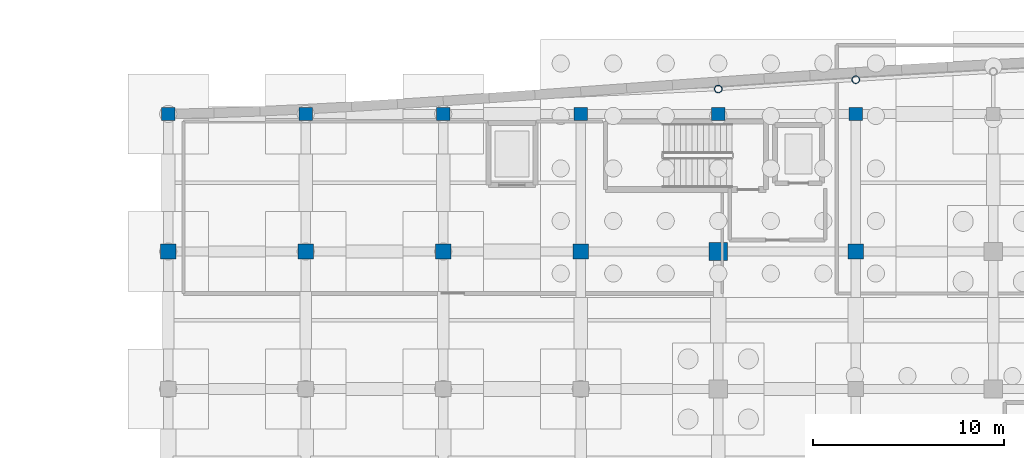
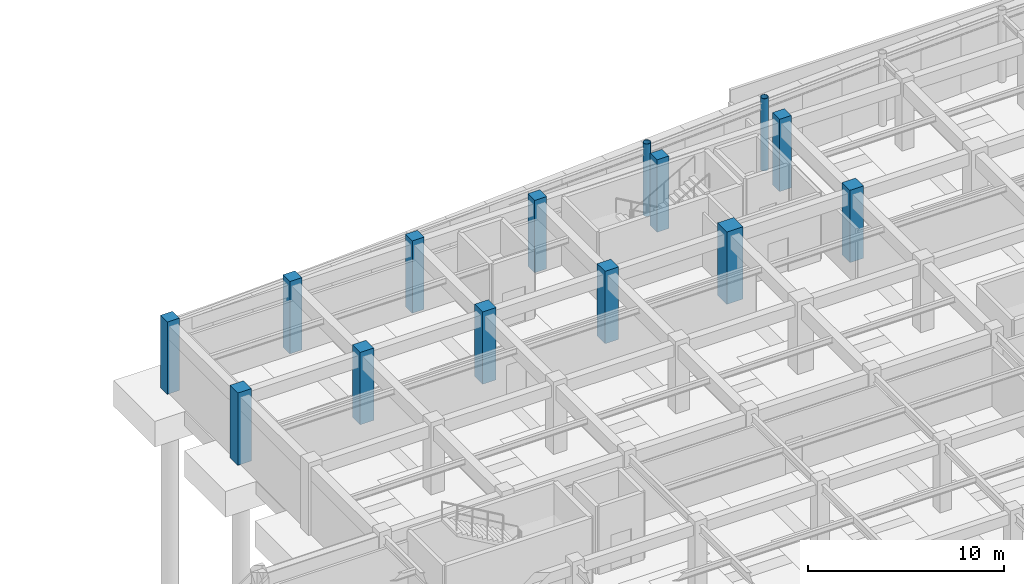
# One storey, part 19 of 48: 14 columns.
"""IFC4 building model written with IfcOpenShell, lengths in metres."""

from ifc_helpers import new_model, si_unit, direction, frame, origin, origin_2d, place, context, subcontext, project, spatial, rectangle, hollow_circle, extrude, material, material_profile, profile_set, type_object, element, save


model = new_model("IFC4")

# Units and contexts
model_context = context("Model", 3, precision=1e-05, world=origin(), true_north=direction((0.0, 1.0)))
body_context = subcontext(model_context, "Body", "Model", "MODEL_VIEW")
ifc_project = project(units=[si_unit("LENGTHUNIT", "METRE"), si_unit("AREAUNIT", "SQUARE_METRE"), si_unit("VOLUMEUNIT", "CUBIC_METRE"), si_unit("PLANEANGLEUNIT", "RADIAN"), si_unit("MASSUNIT", "GRAM", prefix="KILO")], contexts=[model_context])

# Site, building, storey
site_placement = place(None, origin())
site = spatial("IfcSite", under=ifc_project, at=site_placement, CompositionType="ELEMENT")
building_placement = place(site_placement, origin())
building = spatial("IfcBuilding", under=site, at=building_placement, Name="Carrowvane Square Congress Hotel", CompositionType="ELEMENT")
storey_placement = place(building_placement, frame((0.0, 0.0, -4.5)))
storey = spatial("IfcBuildingStorey", under=building, at=storey_placement, Name="B01", CompositionType="ELEMENT", Elevation=-4.5)

# Columns
ifc_material_1 = material(Name="Concrete C40/50", Category="concrete")
ifc_material_profile_1 = material_profile(ifc_material_1, rectangle(XDim=0.699951171875, YDim=0.699951171875, at=origin_2d()), Name="RC 700x700")
ifc_profile_set_1 = profile_set([ifc_material_profile_1], Name="Concrete C40/50")
column_type_1 = type_object("IfcColumnType", Name="COL-RC-700", PredefinedType="COLUMN", material=ifc_profile_set_1)
for number, where, z_axis, x_axis, name in (
    (1, (33.199951171875, 113.39990234375, 0.0), (0.0, 0.0, 1.0), (1.0, 0.0, 0.0), "B01 column 4/R"),
    (2, (40.39990234375, 113.39990234375, 0.0), (0.0, 0.0, 1.0), (1.0, 0.0, 0.0), "B01 column 5/R"),
    (3, (47.60009765625, 113.39990234375, 0.0), (0.0, 0.0, 1.0), (1.0, 0.0, 0.0), "B01 column 6/R"),
    (4, (54.800048828125, 113.39990234375, 0.0), (0.0, 0.0, 1.0), (1.0, 0.0, 0.0), "B01 column 7/R"),
    (5, (62.0, 113.39990234375, 0.0), (0.0, 0.0, 1.0), (1.0, 0.0, 0.0), "B01 column 8/R"),
    (6, (69.199951171875, 113.39990234375, 0.0), (0.0, 0.0, 1.0), (1.0, 0.0, 0.0), "B01 column 9/R"),
):
    element("IfcColumn", number, at=place(storey_placement, frame(where, z_axis=z_axis, x_axis=x_axis)), inside=storey, type_object=column_type_1, Name=name, PredefinedType="COLUMN", context=body_context, shape_type="SweptSolid", body=[
        extrude(rectangle(XDim=0.699951171875, YDim=0.699951171875, at=origin_2d()), origin(), (0.0, 0.0, 1.0), 4.5),
    ])
ifc_material_2 = material(Name="Concrete C40/50", Category="concrete")
ifc_material_profile_2 = material_profile(ifc_material_2, rectangle(XDim=0.800048828125, YDim=0.800048828125, at=origin_2d()), Name="RC 800x800")
ifc_profile_set_2 = profile_set([ifc_material_profile_2], Name="Concrete C40/50")
column_type_2 = type_object("IfcColumnType", Name="COL-RC-800", PredefinedType="COLUMN", material=ifc_profile_set_2)
for number, where, z_axis, x_axis, name in (
    (7, (33.199951171875, 106.199951171875, 0.0), (0.0, 0.0, 1.0), (1.0, 0.0, 0.0), "B01 column 4/Q"),
    (8, (40.39990234375, 106.199951171875, 0.0), (0.0, 0.0, 1.0), (1.0, 0.0, 0.0), "B01 column 5/Q"),
    (9, (47.60009765625, 106.199951171875, 0.0), (0.0, 0.0, 1.0), (1.0, 0.0, 0.0), "B01 column 6/Q"),
    (10, (54.800048828125, 106.199951171875, 0.0), (0.0, 0.0, 1.0), (1.0, 0.0, 0.0), "B01 column 7/Q"),
    (11, (69.199951171875, 106.199951171875, 0.0), (0.0, 0.0, 1.0), (1.0, 0.0, 0.0), "B01 column 9/Q"),
):
    element("IfcColumn", number, at=place(storey_placement, frame(where, z_axis=z_axis, x_axis=x_axis)), inside=storey, type_object=column_type_2, Name=name, PredefinedType="COLUMN", context=body_context, shape_type="SweptSolid", body=[
        extrude(rectangle(XDim=0.800048828125, YDim=0.800048828125, at=origin_2d()), origin(), (0.0, 0.0, 1.0), 4.5),
    ])
ifc_material_3 = material(Name="Steel S355", Category="steel")
ifc_material_profile_3 = material_profile(ifc_material_3, hollow_circle(Radius=0.203125, WallThickness=0.02001953125, at=origin_2d()), Name="CHS 406.4x20")
ifc_profile_set_3 = profile_set([ifc_material_profile_3], Name="Steel S355")
column_type_3 = type_object("IfcColumnType", Name="COL-ST-CHS406", PredefinedType="COLUMN", material=ifc_profile_set_3)
for number, where, z_axis, x_axis, name in (
    (12, (62.0, 114.7060546875, 0.0), (0.0, 0.0, 1.0), (1.0, 0.0, 0.0), "B01 column 8/ARC"),
    (13, (69.199951171875, 115.1943359375, 0.0), (0.0, 0.0, 1.0), (1.0, 0.0, 0.0), "B01 column 9/ARC"),
):
    element("IfcColumn", number, at=place(storey_placement, frame(where, z_axis=z_axis, x_axis=x_axis)), inside=storey, type_object=column_type_3, Name=name, PredefinedType="COLUMN", context=body_context, shape_type="SweptSolid", body=[
        extrude(hollow_circle(Radius=0.203125, WallThickness=0.02001953125, at=origin_2d()), origin(), (0.0, 0.0, 1.0), 4.5),
    ])
ifc_material_4 = material(Name="Concrete C40/50", Category="concrete")
ifc_material_profile_4 = material_profile(ifc_material_4, rectangle(XDim=0.949951171875, YDim=0.949951171875, at=origin_2d()), Name="RC 950x950")
ifc_profile_set_4 = profile_set([ifc_material_profile_4], Name="Concrete C40/50")
column_type_4 = type_object("IfcColumnType", Name="MCOL-RC-1000", PredefinedType="COLUMN", material=ifc_profile_set_4)
column_placement = place(storey_placement, frame((62.0, 106.199951171875, 0.0), z_axis=(0.0, 0.0, 1.0), x_axis=(1.0, 0.0, 0.0)))
element("IfcColumn", 14, at=column_placement, inside=storey, type_object=column_type_4, Name="B01 column 8/Q", PredefinedType="COLUMN", context=body_context, shape_type="SweptSolid", body=[
    extrude(rectangle(XDim=0.949951171875, YDim=0.949951171875, at=origin_2d()), origin(), (0.0, 0.0, 1.0), 4.5),
])

save(model, "model.ifc")
